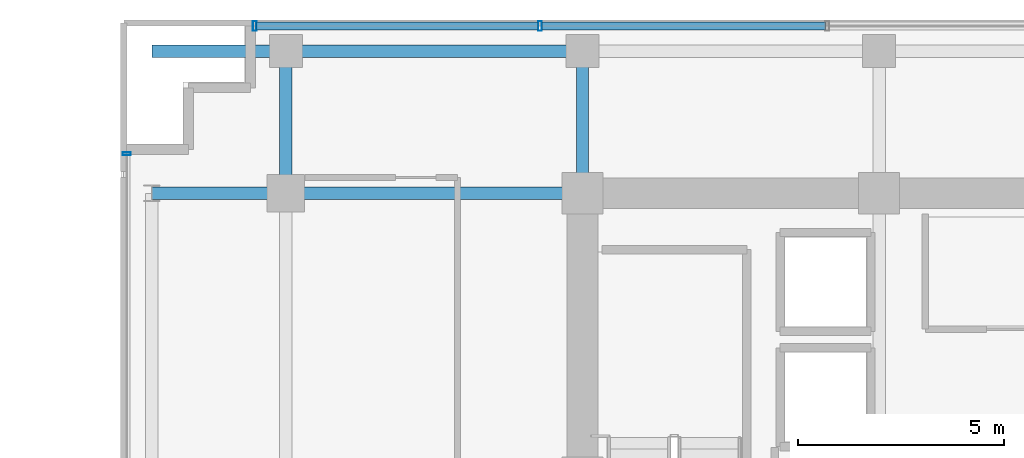
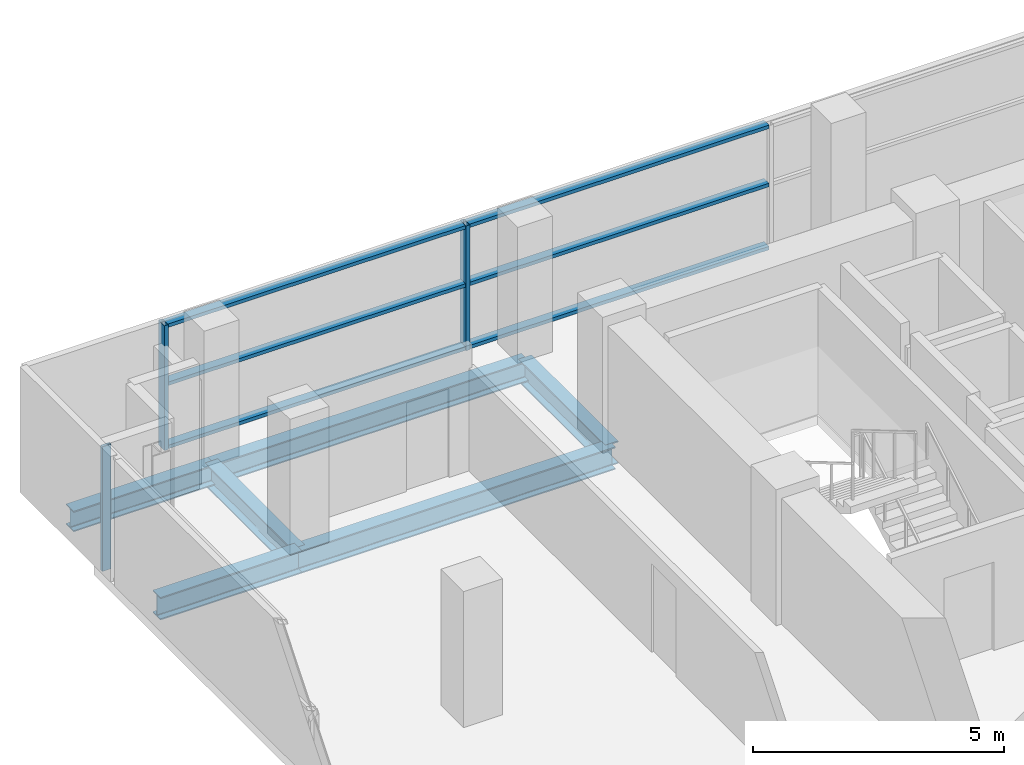
# One storey, part 10 of 22: 9 members, 6 beams, 2 elements without a shape of their own.
"""IFC4 building model written with IfcOpenShell, lengths in metres."""

from ifc_helpers import new_model, si_unit, direction, frame, origin, origin_2d, place, context, subcontext, project, spatial, hollow_rectangle, i_section, extrude, source, transform, mapped, material, layer, layer_set, material_profile, profile_set, type_object, element, aggregate, save


model = new_model("IFC4")

# Units and contexts
model_context = context("Model", 3, precision=1e-05, world=origin(), true_north=direction((0.0, 1.0)))
body_context = subcontext(model_context, "Body", "Model", "MODEL_VIEW")
ifc_project = project(units=[si_unit("LENGTHUNIT", "METRE"), si_unit("AREAUNIT", "SQUARE_METRE"), si_unit("VOLUMEUNIT", "CUBIC_METRE"), si_unit("PLANEANGLEUNIT", "RADIAN"), si_unit("MASSUNIT", "GRAM", prefix="KILO")], contexts=[model_context])

# Site, building, storey
site_placement = place(None, origin())
site = spatial("IfcSite", under=ifc_project, at=site_placement, CompositionType="ELEMENT")
building_placement = place(site_placement, origin())
building = spatial("IfcBuilding", under=site, at=building_placement, Name="Zarnakvel Exchange Tower", CompositionType="ELEMENT")
storey_placement = place(building_placement, frame((0.0, 0.0, 136.300048828125)))
storey = spatial("IfcBuildingStorey", under=building, at=storey_placement, Name="L38", CompositionType="ELEMENT", Elevation=136.300048828125)

# Beams
ifc_material_1 = material(Name="Steel S355", Category="steel")
ifc_material_profile_1 = material_profile(ifc_material_1, i_section(OverallWidth=0.300048828125, OverallDepth=0.550048828125, WebThickness=0.014892578125, FlangeThickness=0.029052734375, FilletRadius=0.027099609375, at=origin_2d()))
ifc_profile_set_1 = profile_set([ifc_material_profile_1], Name="Steel S355")
beam_type_1 = type_object("IfcBeamType", Name="G-05", PredefinedType="BEAM", material=ifc_profile_set_1)
beam_1_placement = place(storey_placement, frame((-24.85009765625, 13.5, -0.5), z_axis=(1.0, 0.0, 0.0), x_axis=(0.0, 1.0, 0.0)))
element("IfcBeam", 1, at=beam_1_placement, inside=storey, type_object=beam_type_1, Name="L38 Tower E-W Frame Beam", PredefinedType="BEAM", context=body_context, shape_type="SweptSolid", body=[
    extrude(i_section(OverallWidth=0.300048828125, OverallDepth=0.550048828125, WebThickness=0.014892578125, FlangeThickness=0.029052734375, FilletRadius=0.027099609375, at=origin_2d()), origin(), (0.0, 0.0, 1.0), 3.25),
])
beam_2_placement = place(storey_placement, frame((-21.60009765625, 13.5, -0.5), z_axis=(1.0, 0.0, 0.0), x_axis=(0.0, 1.0, 0.0)))
element("IfcBeam", 2, at=beam_2_placement, inside=storey, type_object=beam_type_1, Name="L38 Tower E-W Frame Beam", PredefinedType="BEAM", context=body_context, shape_type="SweptSolid", body=[
    extrude(i_section(OverallWidth=0.300048828125, OverallDepth=0.550048828125, WebThickness=0.014892578125, FlangeThickness=0.029052734375, FilletRadius=0.027099609375, at=origin_2d()), origin(), (0.0, 0.0, 1.0), 7.2001953125),
])
for number, where, z_axis, x_axis, name in (
    (3, (-21.60009765625, 13.5, -0.5), (0.0, 1.0, 0.0), (-1.0, 0.0, 0.0), "L38 Tower N-S Frame Beam"),
    (4, (-14.39990234375, 13.5, -0.5), (0.0, 1.0, 0.0), (-1.0, 0.0, 0.0), "L38 Tower N-S Frame Beam"),
):
    element("IfcBeam", number, at=place(storey_placement, frame(where, z_axis=z_axis, x_axis=x_axis)), inside=storey, type_object=beam_type_1, Name=name, PredefinedType="BEAM", context=body_context, shape_type="SweptSolid", body=[
        extrude(i_section(OverallWidth=0.300048828125, OverallDepth=0.550048828125, WebThickness=0.014892578125, FlangeThickness=0.029052734375, FilletRadius=0.027099609375, at=origin_2d()), origin(), (0.0, 0.0, 1.0), 3.449951171875),
    ])
ifc_material_profile_2 = material_profile(ifc_material_1, i_section(OverallWidth=0.300048828125, OverallDepth=0.5, WebThickness=0.014404296875, FlangeThickness=0.028076171875, FilletRadius=0.027099609375, at=origin_2d()))
ifc_profile_set_2 = profile_set([ifc_material_profile_2], Name="Steel S355")
beam_type_2 = type_object("IfcBeamType", Name="SP-02", PredefinedType="SPANDREL", material=ifc_profile_set_2)
beam_3_placement = place(storey_placement, frame((-21.60009765625, 16.949951171875, -0.47509765625), z_axis=(1.0, 0.0, 0.0), x_axis=(0.0, 1.0, 0.0)))
element("IfcBeam", 5, at=beam_3_placement, inside=storey, type_object=beam_type_2, Name="L38 Tower E-W Frame Beam", PredefinedType="SPANDREL", context=body_context, shape_type="SweptSolid", body=[
    extrude(i_section(OverallWidth=0.300048828125, OverallDepth=0.5, WebThickness=0.014404296875, FlangeThickness=0.028076171875, FilletRadius=0.027099609375, at=origin_2d()), origin(), (0.0, 0.0, 1.0), 7.2001953125),
])
beam_4_placement = place(storey_placement, frame((-24.85009765625, 16.949951171875, -0.47509765625), z_axis=(1.0, 0.0, 0.0), x_axis=(0.0, 1.0, 0.0)))
element("IfcBeam", 6, at=beam_4_placement, inside=storey, type_object=beam_type_2, Name="L38 North-West Corner Spandrel", PredefinedType="SPANDREL", context=body_context, shape_type="SweptSolid", body=[
    extrude(i_section(OverallWidth=0.300048828125, OverallDepth=0.5, WebThickness=0.014404296875, FlangeThickness=0.028076171875, FilletRadius=0.027099609375, at=origin_2d()), origin(), (0.0, 0.0, 1.0), 3.25),
])

# Curtain wall, members
ifc_material_2 = material(Name="Architectural Bronze Anodised Aluminium", Category="aluminium")
ifc_layer_1 = layer(ifc_material_2, 0.239990234375)
ifc_layer_set_1 = layer_set([ifc_layer_1], Name="Architectural Bronze Anodised Aluminium")
curtain_wall_type_1 = type_object("IfcCurtainWallType", Name="CW-02", PredefinedType="NOTDEFINED", material=ifc_layer_set_1)
curtain_wall_1_placement = place(storey_placement, origin())
curtain_wall_1 = element("IfcCurtainWall", 7, at=curtain_wall_1_placement, inside=storey, type_object=curtain_wall_type_1, Name="L38 Curtain Wall CW-L38-N1 (CW-02)", PredefinedType="NOTDEFINED")
ifc_material_profile_3 = material_profile(ifc_material_2, hollow_rectangle(XDim=0.239990234375, YDim=0.090087890625, WallThickness=0.006103515625, at=origin_2d()))
ifc_profile_set_3 = profile_set([ifc_material_profile_3], Name="Architectural Bronze Anodised Aluminium")
member_type_1 = type_object("IfcMemberType", Name="CWM-02", PredefinedType="MULLION", material=ifc_profile_set_3)
shared_shape_1 = source(origin(), body_context, "Body", "SweptSolid", [
    extrude(hollow_rectangle(XDim=0.239990234375, YDim=0.090087890625, WallThickness=0.006103515625, at=origin_2d()), origin(), (0.0, 0.0, 1.0), 3.030029296875),
])
member_1_placement = place(storey_placement, frame((-22.35498046875, 17.56005859375, 0.0), z_axis=(0.0, 0.0, 1.0), x_axis=(0.0, 1.0, 0.0)))
member_1 = element("IfcMember", 8, at=member_1_placement, type_object=member_type_1, Name="CW-02 mullion 1", PredefinedType="MULLION", context=body_context, shape_type="MappedRepresentation", body=[
    mapped(shared_shape_1, transform((0.0, 0.0, 0.0), x_axis=(1.0, 0.0, 0.0), y_axis=(0.0, 1.0, 0.0), z_axis=(0.0, 0.0, 1.0), scale=1.0)),
])
member_2_placement = place(storey_placement, frame((-15.428466796875, 17.56005859375, 0.0), z_axis=(0.0, 0.0, 1.0), x_axis=(0.0, 1.0, 0.0)))
member_2 = element("IfcMember", 9, at=member_2_placement, type_object=member_type_1, Name="CW-02 mullion 2", PredefinedType="MULLION", context=body_context, shape_type="MappedRepresentation", body=[
    mapped(shared_shape_1, transform((0.0, 0.0, 0.0), x_axis=(1.0, 0.0, 0.0), y_axis=(0.0, 1.0, 0.0), z_axis=(0.0, 0.0, 1.0), scale=1.0)),
])

# Curtain wall, member
ifc_layer_2 = layer(ifc_material_2, 0.199951171875)
ifc_layer_set_2 = layer_set([ifc_layer_2], Name="Architectural Bronze Anodised Aluminium")
curtain_wall_type_2 = type_object("IfcCurtainWallType", Name="CW-04", PredefinedType="NOTDEFINED", material=ifc_layer_set_2)
curtain_wall_2_placement = place(storey_placement, origin())
curtain_wall_2 = element("IfcCurtainWall", 10, at=curtain_wall_2_placement, inside=storey, type_object=curtain_wall_type_2, Name="L38 Curtain Wall CW-L38-WN (CW-04)", PredefinedType="NOTDEFINED")
ifc_material_profile_4 = material_profile(ifc_material_2, hollow_rectangle(XDim=0.199951171875, YDim=0.074951171875, WallThickness=0.0048828125, at=origin_2d()))
ifc_profile_set_4 = profile_set([ifc_material_profile_4], Name="Architectural Bronze Anodised Aluminium")
member_type_2 = type_object("IfcMemberType", Name="CWM-04", PredefinedType="MULLION", material=ifc_profile_set_4)
shared_shape_2 = source(origin(), body_context, "Body", "SweptSolid", [
    extrude(hollow_rectangle(XDim=0.199951171875, YDim=0.074951171875, WallThickness=0.0048828125, at=origin_2d()), origin(), (0.0, 0.0, 1.0), 3.030029296875),
])
member_3_placement = place(storey_placement, frame((-25.4599609375, 14.46240234375, 0.0), z_axis=(0.0, 0.0, 1.0), x_axis=(-1.0, 0.0, 0.0)))
member_3 = element("IfcMember", 11, at=member_3_placement, type_object=member_type_2, Name="CW-04 mullion 3", PredefinedType="MULLION", context=body_context, shape_type="MappedRepresentation", body=[
    mapped(shared_shape_2, transform((0.0, 0.0, 0.0), x_axis=(1.0, 0.0, 0.0), y_axis=(0.0, 1.0, 0.0), z_axis=(0.0, 0.0, 1.0), scale=1.0)),
])
aggregate(curtain_wall_2, [member_3])

# Member
ifc_material_profile_5 = material_profile(ifc_material_2, hollow_rectangle(XDim=0.199951171875, YDim=0.0849609375, WallThickness=0.0048828125, at=origin_2d()))
ifc_profile_set_5 = profile_set([ifc_material_profile_5], Name="Architectural Bronze Anodised Aluminium")
member_type_3 = type_object("IfcMemberType", Name="CWT-02", PredefinedType="USERDEFINED", material=ifc_profile_set_5)
shared_shape_3 = source(origin(), body_context, "Body", "SweptSolid", [
    extrude(hollow_rectangle(XDim=0.199951171875, YDim=0.0849609375, WallThickness=0.0048828125, at=origin_2d()), origin(), (0.0, 0.0, 1.0), 6.83642578125),
])
member_4_placement = place(storey_placement, frame((-22.31005859375, 17.56005859375, 0.04248046875), z_axis=(1.0, 0.0, 0.0), x_axis=(0.0, 1.0, 0.0)))
member_4 = element("IfcMember", 12, at=member_4_placement, type_object=member_type_3, Name="CW-02 transom 1.1", ObjectType="TRANSOM", PredefinedType="USERDEFINED", context=body_context, shape_type="MappedRepresentation", body=[
    mapped(shared_shape_3, transform((0.0, 0.0, 0.0), x_axis=(1.0, 0.0, 0.0), y_axis=(0.0, 1.0, 0.0), z_axis=(0.0, 0.0, 1.0), scale=1.0)),
])

member_5_placement = place(storey_placement, frame((-22.31005859375, 17.56005859375, 1.575439453125), z_axis=(1.0, 0.0, 0.0), x_axis=(0.0, 1.0, 0.0)))
member_5 = element("IfcMember", 13, at=member_5_placement, type_object=member_type_3, Name="CW-02 transom 1.2", ObjectType="TRANSOM", PredefinedType="USERDEFINED", context=body_context, shape_type="MappedRepresentation", body=[
    mapped(shared_shape_3, transform((0.0, 0.0, 0.0), x_axis=(1.0, 0.0, 0.0), y_axis=(0.0, 1.0, 0.0), z_axis=(0.0, 0.0, 1.0), scale=1.0)),
])

member_6_placement = place(storey_placement, frame((-22.31005859375, 17.56005859375, 2.987548828125), z_axis=(1.0, 0.0, 0.0), x_axis=(0.0, 1.0, 0.0)))
member_6 = element("IfcMember", 14, at=member_6_placement, type_object=member_type_3, Name="CW-02 transom 1.3", ObjectType="TRANSOM", PredefinedType="USERDEFINED", context=body_context, shape_type="MappedRepresentation", body=[
    mapped(shared_shape_3, transform((0.0, 0.0, 0.0), x_axis=(1.0, 0.0, 0.0), y_axis=(0.0, 1.0, 0.0), z_axis=(0.0, 0.0, 1.0), scale=1.0)),
])

shared_shape_4 = source(origin(), body_context, "Body", "SweptSolid", [
    extrude(hollow_rectangle(XDim=0.199951171875, YDim=0.0849609375, WallThickness=0.0048828125, at=origin_2d()), origin(), (0.0, 0.0, 1.0), 6.88134765625),
])
member_7_placement = place(storey_placement, frame((-15.383544921875, 17.56005859375, 0.04248046875), z_axis=(1.0, 0.0, 0.0), x_axis=(0.0, 1.0, 0.0)))
member_7 = element("IfcMember", 15, at=member_7_placement, type_object=member_type_3, Name="CW-02 transom 2.1", ObjectType="TRANSOM", PredefinedType="USERDEFINED", context=body_context, shape_type="MappedRepresentation", body=[
    mapped(shared_shape_4, transform((0.0, 0.0, 0.0), x_axis=(1.0, 0.0, 0.0), y_axis=(0.0, 1.0, 0.0), z_axis=(0.0, 0.0, 1.0), scale=1.0)),
])

member_8_placement = place(storey_placement, frame((-15.383544921875, 17.56005859375, 1.575439453125), z_axis=(1.0, 0.0, 0.0), x_axis=(0.0, 1.0, 0.0)))
member_8 = element("IfcMember", 16, at=member_8_placement, type_object=member_type_3, Name="CW-02 transom 2.2", ObjectType="TRANSOM", PredefinedType="USERDEFINED", context=body_context, shape_type="MappedRepresentation", body=[
    mapped(shared_shape_4, transform((0.0, 0.0, 0.0), x_axis=(1.0, 0.0, 0.0), y_axis=(0.0, 1.0, 0.0), z_axis=(0.0, 0.0, 1.0), scale=1.0)),
])

member_9_placement = place(storey_placement, frame((-15.383544921875, 17.56005859375, 2.987548828125), z_axis=(1.0, 0.0, 0.0), x_axis=(0.0, 1.0, 0.0)))
member_9 = element("IfcMember", 17, at=member_9_placement, type_object=member_type_3, Name="CW-02 transom 2.3", ObjectType="TRANSOM", PredefinedType="USERDEFINED", context=body_context, shape_type="MappedRepresentation", body=[
    mapped(shared_shape_4, transform((0.0, 0.0, 0.0), x_axis=(1.0, 0.0, 0.0), y_axis=(0.0, 1.0, 0.0), z_axis=(0.0, 0.0, 1.0), scale=1.0)),
])

aggregate(curtain_wall_1, [member_1, member_2, member_4, member_5, member_6, member_7, member_8, member_9])

save(model, "model.ifc")
